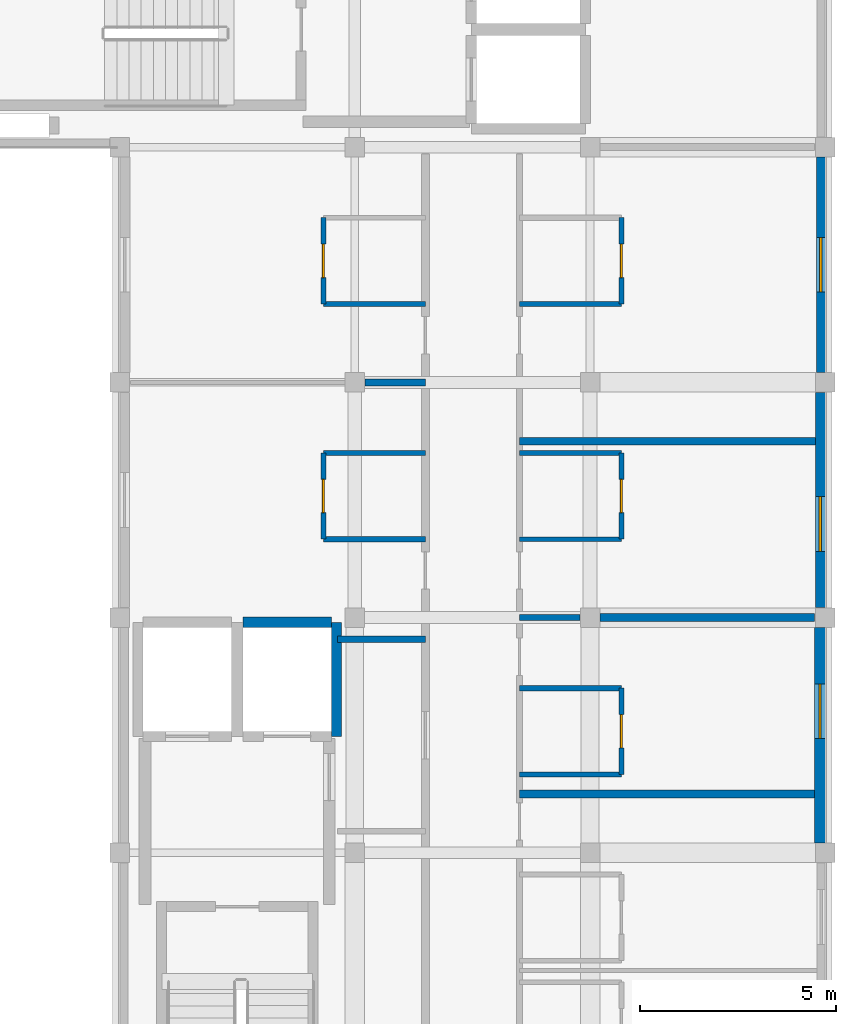
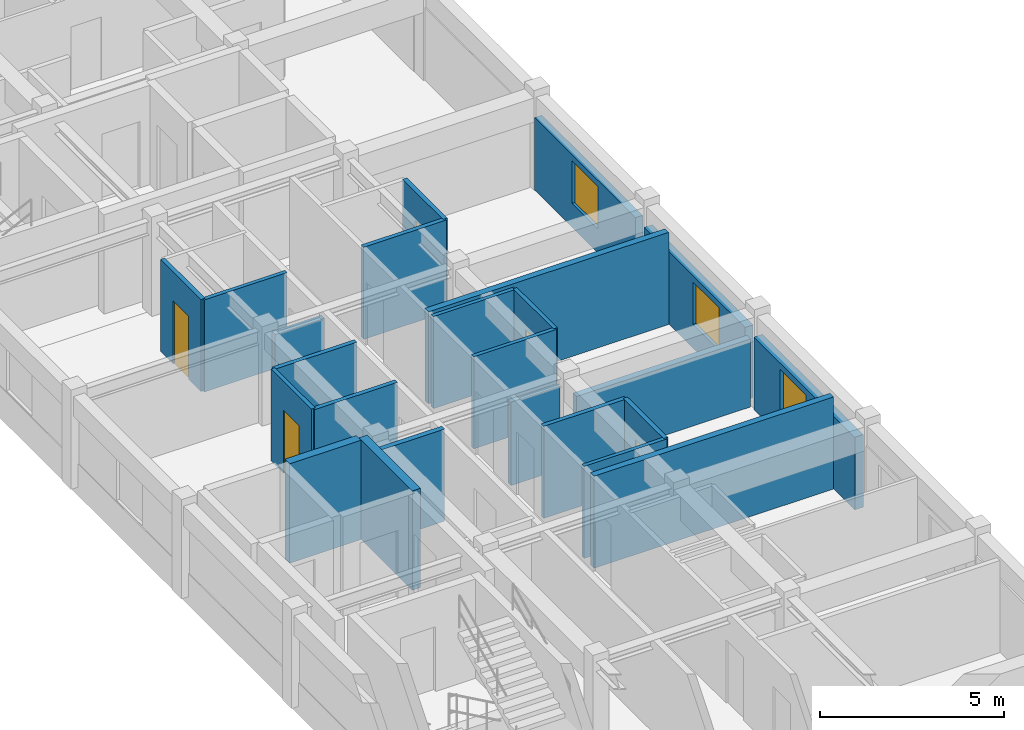
# One storey, part 6 of 15: 24 walls, 5 doors, 3 windows, 8 openings.
"""IFC4 building model written with IfcOpenShell, lengths in metres."""

from ifc_helpers import new_model, si_unit, direction, frame, frame_2d, origin, place, context, subcontext, project, spatial, rectangle, extrude, material, layer, layer_set, type_object, element, fill, save


model = new_model("IFC4")

# Units and contexts
model_context = context("Model", 3, precision=1e-05, world=origin(), true_north=direction((0.0, 1.0)))
body_context = subcontext(model_context, "Body", "Model", "MODEL_VIEW")
ifc_project = project(units=[si_unit("LENGTHUNIT", "METRE"), si_unit("AREAUNIT", "SQUARE_METRE"), si_unit("VOLUMEUNIT", "CUBIC_METRE"), si_unit("PLANEANGLEUNIT", "RADIAN"), si_unit("MASSUNIT", "GRAM", prefix="KILO"), si_unit("THERMODYNAMICTEMPERATUREUNIT", "KELVIN"), si_unit("POWERUNIT", "WATT")], contexts=[model_context])

# Site, building, storey
site_placement = place(None, origin())
site = spatial("IfcSite", under=ifc_project, at=site_placement, CompositionType="ELEMENT")
building_placement = place(site_placement, origin())
building = spatial("IfcBuilding", under=site, at=building_placement, Name="Phaisarnlok Congress Hotel", CompositionType="ELEMENT")
storey_placement = place(building_placement, frame((0.0, 0.0, 41.39990234375)))
storey = spatial("IfcBuildingStorey", under=building, at=storey_placement, Name="L10", CompositionType="ELEMENT", Elevation=41.39990234375)

# Wall, opening, window
ifc_material_1 = material(Name="Concrete C40/50", Category="concrete")
ifc_layer_1 = layer(ifc_material_1, 0.22998046875, Name="Concrete C40/50")
ifc_layer_set_1 = layer_set([ifc_layer_1], Name="Concrete C40/50")
wall_type_1 = type_object("IfcWallType", Name="WL-EXT-230", PredefinedType="SOLIDWALL", material=ifc_layer_set_1)
wall_1_placement = place(storey_placement, frame((179.885009765625, 102.2548828125, 0.0), z_axis=(0.0, 0.0, 1.0), x_axis=(0.0, 1.0, 0.0)))
wall_1 = element("IfcWall", 1, at=wall_1_placement, inside=storey, type_object=wall_type_1, Name="Exterior wall EW-06 (L10)", PredefinedType="SOLIDWALL", context=body_context, shape_type="SweptSolid", body=[
    extrude(rectangle(XDim=5.490234375, YDim=0.22998046875, at=frame_2d((2.7451171875, 0.0))), origin(), (0.0, 0.0, 1.0), 2.41015625),
])
opening_1_placement = place(wall_1_placement, frame((2.044921875, 0.0, 0.800048828125)))
opening_1 = element("IfcOpeningElement", 2, at=opening_1_placement, cuts=wall_1, Name="Opening W-13", PredefinedType="OPENING", context=body_context, shape_type="SweptSolid", body=[
    extrude(rectangle(XDim=1.39990234375, YDim=1.39990234375, at=frame_2d((0.699951171875, 0.699951171875))), frame((0.0, 0.125, 0.0), z_axis=(0.0, -1.0, 0.0), x_axis=(1.0, 0.0, 0.0)), (0.0, 0.0, 1.0), 0.25),
])
ifc_material_2 = material(Name="Thermally Broken Aluminium & Low-E Double Glazing", Category="aluminium")
window_type = type_object("IfcWindowType", Name="WIN-POD-1400", PartitioningType="SINGLE_PANEL", PredefinedType="WINDOW", material=ifc_material_2)
window_1_placement = place(opening_1_placement, origin())
window_1 = element("IfcWindow", 3, at=window_1_placement, inside=storey, type_object=window_type, Name="Guestroom window W-13 (L10)", OverallHeight=1.39990234375, OverallWidth=1.39990234375, PartitioningType="SINGLE_PANEL", PredefinedType="WINDOW", context=body_context, shape_type="SweptSolid", body=[
    extrude(rectangle(XDim=1.39990234375, YDim=1.39990234375, at=frame_2d((0.699951171875, 0.699951171875))), frame((0.0, 0.030029296875, 0.0), z_axis=(0.0, -1.0, 0.0), x_axis=(1.0, 0.0, 0.0)), (0.0, 0.0, 1.0), 0.06005859375),
])
fill(opening_1, window_1)

ifc_layer_2 = layer(ifc_material_1, 0.25, Name="Concrete C40/50")
ifc_layer_set_2 = layer_set([ifc_layer_2], Name="Concrete C40/50")
wall_type_2 = type_object("IfcWallType", Name="WL-EXT-250", PredefinedType="SOLIDWALL", material=ifc_layer_set_2)
wall_2_placement = place(storey_placement, frame((179.875, 96.2548828125, 0.0), z_axis=(0.0, 0.0, 1.0), x_axis=(0.0, 1.0, 0.0)))
wall_2 = element("IfcWall", 4, at=wall_2_placement, inside=storey, type_object=wall_type_2, Name="Exterior wall EW-05 (L10)", PredefinedType="SOLIDWALL", context=body_context, shape_type="SweptSolid", body=[
    extrude(rectangle(XDim=5.490234375, YDim=0.25, at=frame_2d((2.7451171875, 0.0))), origin(), (0.0, 0.0, 1.0), 2.41015625),
])
opening_2_placement = place(wall_2_placement, frame((1.431884765625, 0.0, 0.800048828125)))
opening_2 = element("IfcOpeningElement", 5, at=opening_2_placement, cuts=wall_2, Name="Opening W-13", PredefinedType="OPENING", context=body_context, shape_type="SweptSolid", body=[
    extrude(rectangle(XDim=1.39990234375, YDim=1.39990234375, at=frame_2d((0.699951171875, 0.699951171875))), frame((0.0, 0.135009765625, 0.0), z_axis=(0.0, -1.0, 0.0), x_axis=(1.0, 0.0, 0.0)), (0.0, 0.0, 1.0), 0.27001953125),
])
window_2_placement = place(opening_2_placement, origin())
window_2 = element("IfcWindow", 6, at=window_2_placement, inside=storey, type_object=window_type, Name="Guestroom window W-13 (L10)", OverallHeight=1.39990234375, OverallWidth=1.39990234375, PartitioningType="SINGLE_PANEL", PredefinedType="WINDOW", context=body_context, shape_type="SweptSolid", body=[
    extrude(rectangle(XDim=1.39990234375, YDim=1.39990234375, at=frame_2d((0.699951171875, 0.699951171875))), frame((0.0, 0.030029296875, 0.0), z_axis=(0.0, -1.0, 0.0), x_axis=(1.0, 0.0, 0.0)), (0.0, 0.0, 1.0), 0.06005859375),
])
fill(opening_2, window_2)

ifc_layer_3 = layer(ifc_material_1, 0.27001953125, Name="Concrete C40/50")
ifc_layer_set_3 = layer_set([ifc_layer_3], Name="Concrete C40/50")
wall_type_3 = type_object("IfcWallType", Name="WL-EXT-270", PredefinedType="SOLIDWALL", material=ifc_layer_set_3)
wall_3_placement = place(storey_placement, frame((179.864990234375, 90.2548828125, 0.0), z_axis=(0.0, 0.0, 1.0), x_axis=(0.0, 1.0, 0.0)))
wall_3 = element("IfcWall", 7, at=wall_3_placement, inside=storey, type_object=wall_type_3, Name="Exterior wall EW-04 (L10)", PredefinedType="SOLIDWALL", context=body_context, shape_type="SweptSolid", body=[
    extrude(rectangle(XDim=5.490234375, YDim=0.27001953125, at=frame_2d((2.7451171875, 0.0))), origin(), (0.0, 0.0, 1.0), 2.41015625),
])
opening_3_placement = place(wall_3_placement, frame((2.657958984375, 0.0, 0.800048828125)))
opening_3 = element("IfcOpeningElement", 8, at=opening_3_placement, cuts=wall_3, Name="Opening W-13", PredefinedType="OPENING", context=body_context, shape_type="SweptSolid", body=[
    extrude(rectangle(XDim=1.39990234375, YDim=1.39990234375, at=frame_2d((0.699951171875, 0.699951171875))), frame((0.0, 0.14501953125, 0.0), z_axis=(0.0, -1.0, 0.0), x_axis=(1.0, 0.0, 0.0)), (0.0, 0.0, 1.0), 0.2900390625),
])
window_3_placement = place(opening_3_placement, origin())
window_3 = element("IfcWindow", 9, at=window_3_placement, inside=storey, type_object=window_type, Name="Guestroom window W-13 (L10)", OverallHeight=1.39990234375, OverallWidth=1.39990234375, PartitioningType="SINGLE_PANEL", PredefinedType="WINDOW", context=body_context, shape_type="SweptSolid", body=[
    extrude(rectangle(XDim=1.39990234375, YDim=1.39990234375, at=frame_2d((0.699951171875, 0.699951171875))), frame((0.0, 0.030029296875, 0.0), z_axis=(0.0, -1.0, 0.0), x_axis=(1.0, 0.0, 0.0)), (0.0, 0.0, 1.0), 0.06005859375),
])
fill(opening_3, window_3)

# Wall, opening, door
ifc_material_3 = material(Name="Lightweight Metal-Stud Gypsum Partition", Category="gypsum")
ifc_layer_4 = layer(ifc_material_3, 0.1201171875, Name="Lightweight Metal-Stud Gypsum Partition")
ifc_layer_set_4 = layer_set([ifc_layer_4], Name="Lightweight Metal-Stud Gypsum Partition")
wall_type_4 = type_object("IfcWallType", Name="WL-INT-120", PredefinedType="PARTITIONING", material=ifc_layer_set_4)
wall_4_placement = place(storey_placement, frame((167.199951171875, 98.0, 0.0), z_axis=(0.0, 0.0, 1.0), x_axis=(0.0, 1.0, 0.0)))
wall_4 = element("IfcWall", 10, at=wall_4_placement, inside=storey, type_object=wall_type_4, Name="Interior partition wall IW-07 (L10)", PredefinedType="PARTITIONING", context=body_context, shape_type="SweptSolid", body=[
    extrude(rectangle(XDim=2.199951171875, YDim=0.1201171875, at=frame_2d((1.10009765625, 0.0))), origin(), (0.0, 0.0, 1.0), 3.06005859375),
])
opening_4_placement = place(wall_4_placement, frame((0.675048828125, 0.0, 0.0)))
opening_4 = element("IfcOpeningElement", 11, at=opening_4_placement, cuts=wall_4, Name="Opening D-0618", PredefinedType="OPENING", context=body_context, shape_type="SweptSolid", body=[
    extrude(rectangle(XDim=0.85009765625, YDim=2.10009765625, at=frame_2d((0.425048828125, 1.050048828125))), frame((0.0, 0.070068359375, 0.0), z_axis=(0.0, -1.0, 0.0), x_axis=(1.0, 0.0, 0.0)), (0.0, 0.0, 1.0), 0.14013671875),
])
ifc_material_4 = material(Name="Moisture-Resistant Lacquered Timber", Category="wood")
door_type = type_object("IfcDoorType", Name="DR-BATH-850", OperationType="NOTDEFINED", PredefinedType="DOOR", material=ifc_material_4)
door_1_placement = place(opening_4_placement, origin())
door_1 = element("IfcDoor", 12, at=door_1_placement, inside=storey, type_object=door_type, Name="Interior door D-0618 (L10)", OperationType="SINGLE_SWING_RIGHT", OverallHeight=2.10009765625, OverallWidth=0.85009765625, PredefinedType="DOOR", context=body_context, shape_type="SweptSolid", body=[
    extrude(rectangle(XDim=0.85009765625, YDim=2.10009765625, at=frame_2d((0.425048828125, 1.050048828125))), frame((0.0, 0.02490234375, 0.0), z_axis=(0.0, -1.0, 0.0), x_axis=(1.0, 0.0, 0.0)), (0.0, 0.0, 1.0), 0.050048828125),
])
fill(opening_4, door_1)

wall_5_placement = place(storey_placement, frame((174.800048828125, 98.0, 0.0), z_axis=(0.0, 0.0, 1.0), x_axis=(0.0, 1.0, 0.0)))
wall_5 = element("IfcWall", 13, at=wall_5_placement, inside=storey, type_object=wall_type_4, Name="Interior partition wall IW-07 (L10)", PredefinedType="PARTITIONING", context=body_context, shape_type="SweptSolid", body=[
    extrude(rectangle(XDim=2.199951171875, YDim=0.1201171875, at=frame_2d((1.10009765625, 0.0))), origin(), (0.0, 0.0, 1.0), 3.06005859375),
])
opening_5_placement = place(wall_5_placement, frame((0.675048828125, 0.0, 0.0)))
opening_5 = element("IfcOpeningElement", 14, at=opening_5_placement, cuts=wall_5, Name="Opening D-0605", PredefinedType="OPENING", context=body_context, shape_type="SweptSolid", body=[
    extrude(rectangle(XDim=0.85009765625, YDim=2.10009765625, at=frame_2d((0.425048828125, 1.050048828125))), frame((0.0, 0.070068359375, 0.0), z_axis=(0.0, -1.0, 0.0), x_axis=(1.0, 0.0, 0.0)), (0.0, 0.0, 1.0), 0.14013671875),
])
door_2_placement = place(opening_5_placement, origin())
door_2 = element("IfcDoor", 15, at=door_2_placement, inside=storey, type_object=door_type, Name="Interior door D-0605 (L10)", OperationType="SINGLE_SWING_LEFT", OverallHeight=2.10009765625, OverallWidth=0.85009765625, PredefinedType="DOOR", context=body_context, shape_type="SweptSolid", body=[
    extrude(rectangle(XDim=0.85009765625, YDim=2.10009765625, at=frame_2d((0.425048828125, 1.050048828125))), frame((0.0, 0.02490234375, 0.0), z_axis=(0.0, -1.0, 0.0), x_axis=(1.0, 0.0, 0.0)), (0.0, 0.0, 1.0), 0.050048828125),
])
fill(opening_5, door_2)

# Walls
for number, where, z_axis, x_axis, name in (
    (16, (172.199951171875, 92.0, 0.0), (0.0, 0.0, 1.0), (1.0, 0.0, 0.0), "Interior partition wall IW-07 (L10)"),
    (17, (172.199951171875, 98.0, 0.0), (0.0, 0.0, 1.0), (1.0, 0.0, 0.0), "Interior partition wall IW-07 (L10)"),
    (18, (172.199951171875, 100.199951171875, 0.0), (0.0, 0.0, 1.0), (1.0, 0.0, 0.0), "Interior partition wall IW-07 (L10)"),
    (19, (167.199951171875, 104.0, 0.0), (0.0, 0.0, 1.0), (1.0, 0.0, 0.0), "Interior partition wall IW-07 (L10)"),
):
    element("IfcWall", number, at=place(storey_placement, frame(where, z_axis=z_axis, x_axis=x_axis)), inside=storey, type_object=wall_type_4, Name=name, PredefinedType="PARTITIONING", context=body_context, shape_type="SweptSolid", body=[
        extrude(rectangle(XDim=2.60009765625, YDim=0.1201171875, at=frame_2d((1.300048828125, 0.0))), origin(), (0.0, 0.0, 1.0), 3.06005859375),
    ])

# Wall, opening, door
ifc_material_5 = material(Name="Moisture-Resistant Gypsum Partition", Category="gypsum")
ifc_layer_5 = layer(ifc_material_5, 0.135009765625, Name="Moisture-Resistant Gypsum Partition")
ifc_layer_set_5 = layer_set([ifc_layer_5], Name="Moisture-Resistant Gypsum Partition")
wall_type_5 = type_object("IfcWallType", Name="WL-INT-135", PredefinedType="PARTITIONING", material=ifc_layer_set_5)
wall_6_placement = place(storey_placement, frame((167.199951171875, 104.0, 0.0), z_axis=(0.0, 0.0, 1.0), x_axis=(0.0, 1.0, 0.0)))
wall_6 = element("IfcWall", 20, at=wall_6_placement, inside=storey, type_object=wall_type_5, Name="Interior partition wall IW-06 (L10)", PredefinedType="PARTITIONING", context=body_context, shape_type="SweptSolid", body=[
    extrude(rectangle(XDim=2.199951171875, YDim=0.135009765625, at=frame_2d((1.10009765625, 0.0))), origin(), (0.0, 0.0, 1.0), 3.06005859375),
])
opening_6_placement = place(wall_6_placement, frame((0.675048828125, 0.0, 0.0)))
opening_6 = element("IfcOpeningElement", 21, at=opening_6_placement, cuts=wall_6, Name="Opening D-0620", PredefinedType="OPENING", context=body_context, shape_type="SweptSolid", body=[
    extrude(rectangle(XDim=0.85009765625, YDim=2.10009765625, at=frame_2d((0.425048828125, 1.050048828125))), frame((0.0, 0.07763671875, 0.0), z_axis=(0.0, -1.0, 0.0), x_axis=(1.0, 0.0, 0.0)), (0.0, 0.0, 1.0), 0.155029296875),
])
door_3_placement = place(opening_6_placement, origin())
door_3 = element("IfcDoor", 22, at=door_3_placement, inside=storey, type_object=door_type, Name="Interior door D-0620 (L10)", OperationType="SINGLE_SWING_RIGHT", OverallHeight=2.10009765625, OverallWidth=0.85009765625, PredefinedType="DOOR", context=body_context, shape_type="SweptSolid", body=[
    extrude(rectangle(XDim=0.85009765625, YDim=2.10009765625, at=frame_2d((0.425048828125, 1.050048828125))), frame((0.0, 0.02490234375, 0.0), z_axis=(0.0, -1.0, 0.0), x_axis=(1.0, 0.0, 0.0)), (0.0, 0.0, 1.0), 0.050048828125),
])
fill(opening_6, door_3)

wall_7_placement = place(storey_placement, frame((174.800048828125, 92.0, 0.0), z_axis=(0.0, 0.0, 1.0), x_axis=(0.0, 1.0, 0.0)))
wall_7 = element("IfcWall", 23, at=wall_7_placement, inside=storey, type_object=wall_type_5, Name="Interior partition wall IW-06 (L10)", PredefinedType="PARTITIONING", context=body_context, shape_type="SweptSolid", body=[
    extrude(rectangle(XDim=2.199951171875, YDim=0.135009765625, at=frame_2d((1.10009765625, 0.0))), origin(), (0.0, 0.0, 1.0), 3.06005859375),
])
opening_7_placement = place(wall_7_placement, frame((0.675048828125, 0.0, 0.0)))
opening_7 = element("IfcOpeningElement", 24, at=opening_7_placement, cuts=wall_7, Name="Opening D-0603", PredefinedType="OPENING", context=body_context, shape_type="SweptSolid", body=[
    extrude(rectangle(XDim=0.85009765625, YDim=2.10009765625, at=frame_2d((0.425048828125, 1.050048828125))), frame((0.0, 0.07763671875, 0.0), z_axis=(0.0, -1.0, 0.0), x_axis=(1.0, 0.0, 0.0)), (0.0, 0.0, 1.0), 0.155029296875),
])
door_4_placement = place(opening_7_placement, origin())
door_4 = element("IfcDoor", 25, at=door_4_placement, inside=storey, type_object=door_type, Name="Interior door D-0603 (L10)", OperationType="SINGLE_SWING_LEFT", OverallHeight=2.10009765625, OverallWidth=0.85009765625, PredefinedType="DOOR", context=body_context, shape_type="SweptSolid", body=[
    extrude(rectangle(XDim=0.85009765625, YDim=2.10009765625, at=frame_2d((0.425048828125, 1.050048828125))), frame((0.0, 0.02490234375, 0.0), z_axis=(0.0, -1.0, 0.0), x_axis=(1.0, 0.0, 0.0)), (0.0, 0.0, 1.0), 0.050048828125),
])
fill(opening_7, door_4)

wall_8_placement = place(storey_placement, frame((174.800048828125, 104.0, 0.0), z_axis=(0.0, 0.0, 1.0), x_axis=(0.0, 1.0, 0.0)))
wall_8 = element("IfcWall", 26, at=wall_8_placement, inside=storey, type_object=wall_type_5, Name="Interior partition wall IW-06 (L10)", PredefinedType="PARTITIONING", context=body_context, shape_type="SweptSolid", body=[
    extrude(rectangle(XDim=2.199951171875, YDim=0.135009765625, at=frame_2d((1.10009765625, 0.0))), origin(), (0.0, 0.0, 1.0), 3.06005859375),
])
opening_8_placement = place(wall_8_placement, frame((0.675048828125, 0.0, 0.0)))
opening_8 = element("IfcOpeningElement", 27, at=opening_8_placement, cuts=wall_8, Name="Opening D-0607", PredefinedType="OPENING", context=body_context, shape_type="SweptSolid", body=[
    extrude(rectangle(XDim=0.85009765625, YDim=2.10009765625, at=frame_2d((0.425048828125, 1.050048828125))), frame((0.0, 0.07763671875, 0.0), z_axis=(0.0, -1.0, 0.0), x_axis=(1.0, 0.0, 0.0)), (0.0, 0.0, 1.0), 0.155029296875),
])
door_5_placement = place(opening_8_placement, origin())
door_5 = element("IfcDoor", 28, at=door_5_placement, inside=storey, type_object=door_type, Name="Interior door D-0607 (L10)", OperationType="SINGLE_SWING_LEFT", OverallHeight=2.10009765625, OverallWidth=0.85009765625, PredefinedType="DOOR", context=body_context, shape_type="SweptSolid", body=[
    extrude(rectangle(XDim=0.85009765625, YDim=2.10009765625, at=frame_2d((0.425048828125, 1.050048828125))), frame((0.0, 0.02490234375, 0.0), z_axis=(0.0, -1.0, 0.0), x_axis=(1.0, 0.0, 0.0)), (0.0, 0.0, 1.0), 0.050048828125),
])
fill(opening_8, door_5)

# Walls
for number, where, z_axis, x_axis, name in (
    (29, (172.199951171875, 94.199951171875, 0.0), (0.0, 0.0, 1.0), (1.0, 0.0, 0.0), "Interior partition wall IW-06 (L10)"),
    (30, (167.199951171875, 98.0, 0.0), (0.0, 0.0, 1.0), (1.0, 0.0, 0.0), "Interior partition wall IW-06 (L10)"),
    (31, (167.199951171875, 100.199951171875, 0.0), (0.0, 0.0, 1.0), (1.0, 0.0, 0.0), "Interior partition wall IW-06 (L10)"),
    (32, (172.199951171875, 104.0, 0.0), (0.0, 0.0, 1.0), (1.0, 0.0, 0.0), "Interior partition wall IW-06 (L10)"),
):
    element("IfcWall", number, at=place(storey_placement, frame(where, z_axis=z_axis, x_axis=x_axis)), inside=storey, type_object=wall_type_5, Name=name, PredefinedType="PARTITIONING", context=body_context, shape_type="SweptSolid", body=[
        extrude(rectangle(XDim=2.60009765625, YDim=0.135009765625, at=frame_2d((1.300048828125, 0.0))), origin(), (0.0, 0.0, 1.0), 3.06005859375),
    ])
ifc_material_6 = material(Name="Acoustic Gypsum Board & Mineral Wool", Category="gypsum")
ifc_layer_6 = layer(ifc_material_6, 0.14990234375, Name="Acoustic Gypsum Board & Mineral Wool")
ifc_layer_set_6 = layer_set([ifc_layer_6], Name="Acoustic Gypsum Board & Mineral Wool")
wall_type_6 = type_object("IfcWallType", Name="WL-INT-150", PredefinedType="PARTITIONING", material=ifc_layer_set_6)
wall_9_placement = place(storey_placement, frame((172.199951171875, 96.0, 0.0), z_axis=(0.0, 0.0, 1.0), x_axis=(1.0, 0.0, 0.0)))
element("IfcWall", 33, at=wall_9_placement, inside=storey, type_object=wall_type_6, Name="Interior partition wall IW-05 (L10)", PredefinedType="PARTITIONING", context=body_context, shape_type="SweptSolid", body=[
    extrude(rectangle(XDim=1.545166015625, YDim=0.14990234375, at=frame_2d((0.7724609375, 0.0))), origin(), (0.0, 0.0, 1.0), 2.77001953125),
])
ifc_material_7 = material(Name="Double-Stud Acoustic Gypsum Partition", Category="gypsum")
ifc_layer_7 = layer(ifc_material_7, 0.159912109375, Name="Double-Stud Acoustic Gypsum Partition")
ifc_layer_set_7 = layer_set([ifc_layer_7], Name="Double-Stud Acoustic Gypsum Partition")
wall_type_7 = type_object("IfcWallType", Name="WL-INT-160", PredefinedType="PARTITIONING", material=ifc_layer_set_7)
wall_10_placement = place(storey_placement, frame((167.56005859375, 95.449951171875, 0.0), z_axis=(0.0, 0.0, 1.0), x_axis=(1.0, 0.0, 0.0)))
element("IfcWall", 34, at=wall_10_placement, inside=storey, type_object=wall_type_7, Name="Interior partition wall IW-04 (L10)", PredefinedType="PARTITIONING", context=body_context, shape_type="SweptSolid", body=[
    extrude(rectangle(XDim=2.239990234375, YDim=0.159912109375, at=frame_2d((1.1201171875, 0.0))), origin(), (0.0, 0.0, 1.0), 3.06005859375),
])
ifc_material_8 = material(Name="Autoclaved Aerated Concrete Block", Category="concrete")
ifc_layer_8 = layer(ifc_material_8, 0.179931640625, Name="Autoclaved Aerated Concrete Block")
ifc_layer_set_8 = layer_set([ifc_layer_8], Name="Autoclaved Aerated Concrete Block")
wall_type_8 = type_object("IfcWallType", Name="WL-INT-180", PredefinedType="PARTITIONING", material=ifc_layer_set_8)
wall_11_placement = place(storey_placement, frame((168.2548828125, 102.0, 0.0), z_axis=(0.0, 0.0, 1.0), x_axis=(1.0, 0.0, 0.0)))
element("IfcWall", 35, at=wall_11_placement, inside=storey, type_object=wall_type_8, Name="Interior partition wall IW-03 (L10)", PredefinedType="PARTITIONING", context=body_context, shape_type="SweptSolid", body=[
    extrude(rectangle(XDim=1.545166015625, YDim=0.179931640625, at=frame_2d((0.7724609375, 0.0))), origin(), (0.0, 0.0, 1.0), 2.77001953125),
])
ifc_layer_9 = layer(ifc_material_8, 0.199951171875, Name="Autoclaved Aerated Concrete Block")
ifc_layer_set_9 = layer_set([ifc_layer_9], Name="Autoclaved Aerated Concrete Block")
wall_type_9 = type_object("IfcWallType", Name="WL-INT-200", PredefinedType="PARTITIONING", material=ifc_layer_set_9)
wall_12_placement = place(storey_placement, frame((172.199951171875, 91.5, 0.0), z_axis=(0.0, 0.0, 1.0), x_axis=(1.0, 0.0, 0.0)))
element("IfcWall", 36, at=wall_12_placement, inside=storey, type_object=wall_type_9, Name="Interior partition wall IW-02 (L10)", PredefinedType="PARTITIONING", context=body_context, shape_type="SweptSolid", body=[
    extrude(rectangle(XDim=7.525146484375, YDim=0.199951171875, at=frame_2d((3.7626953125, 0.0))), origin(), (0.0, 0.0, 1.0), 3.06005859375),
])
wall_13_placement = place(storey_placement, frame((174.2548828125, 96.0, 0.0), z_axis=(0.0, 0.0, 1.0), x_axis=(1.0, 0.0, 0.0)))
element("IfcWall", 37, at=wall_13_placement, inside=storey, type_object=wall_type_9, Name="Interior partition wall IW-02 (L10)", PredefinedType="PARTITIONING", context=body_context, shape_type="SweptSolid", body=[
    extrude(rectangle(XDim=5.465087890625, YDim=0.199951171875, at=frame_2d((2.732421875, 0.0))), origin(), (0.0, 0.0, 1.0), 2.260009765625),
])
wall_14_placement = place(storey_placement, frame((172.199951171875, 100.5, 0.0), z_axis=(0.0, 0.0, 1.0), x_axis=(1.0, 0.0, 0.0)))
element("IfcWall", 38, at=wall_14_placement, inside=storey, type_object=wall_type_9, Name="Interior partition wall IW-02 (L10)", PredefinedType="PARTITIONING", context=body_context, shape_type="SweptSolid", body=[
    extrude(rectangle(XDim=7.545166015625, YDim=0.199951171875, at=frame_2d((3.7724609375, 0.0))), origin(), (0.0, 0.0, 1.0), 3.06005859375),
])
ifc_material_9 = material(Name="Concrete C50/60", Category="concrete")
ifc_layer_10 = layer(ifc_material_9, 0.260009765625, Name="Concrete C50/60")
ifc_layer_set_10 = layer_set([ifc_layer_10], Name="Concrete C50/60")
wall_type_10 = type_object("IfcWallType", Name="WL-SHR-260", PredefinedType="SHEAR", material=ifc_layer_set_10)
wall_15_placement = place(storey_placement, frame((167.530029296875, 92.969970703125, 0.0), z_axis=(0.0, 0.0, 1.0), x_axis=(0.0, 1.0, 0.0)))
element("IfcWall", 39, at=wall_15_placement, inside=storey, type_object=wall_type_10, Name="Lift shaft shear wall SW-04 (LF-SV1 L10)", PredefinedType="SHEAR", context=body_context, shape_type="SweptSolid", body=[
    extrude(rectangle(XDim=2.909912109375, YDim=0.260009765625, at=frame_2d((1.455078125, 0.0))), origin(), (0.0, 0.0, 1.0), 3.300048828125),
])
wall_16_placement = place(storey_placement, frame((165.14990234375, 95.8798828125, 0.0), z_axis=(0.0, 0.0, 1.0), x_axis=(1.0, 0.0, 0.0)))
element("IfcWall", 40, at=wall_16_placement, inside=storey, type_object=wall_type_10, Name="Lift shaft shear wall SW-04 (LF-SV1 L10)", PredefinedType="SHEAR", context=body_context, shape_type="SweptSolid", body=[
    extrude(rectangle(XDim=2.25, YDim=0.260009765625, at=frame_2d((1.125, 0.0))), origin(), (0.0, 0.0, 1.0), 3.300048828125),
])

save(model, "model.ifc")
